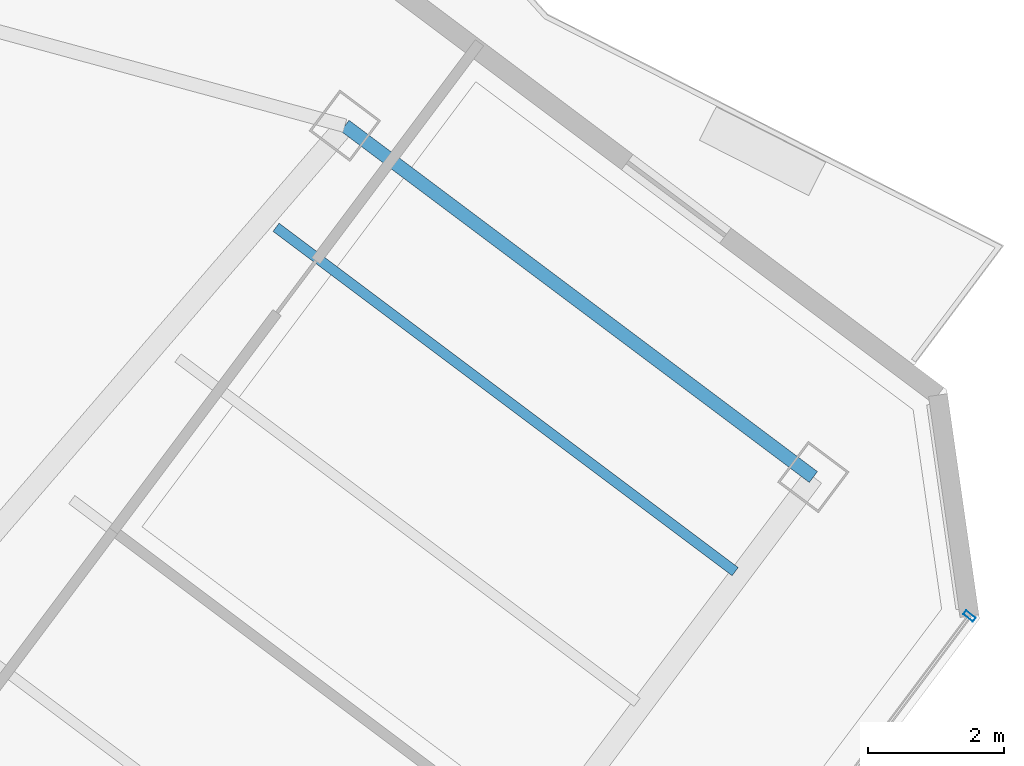
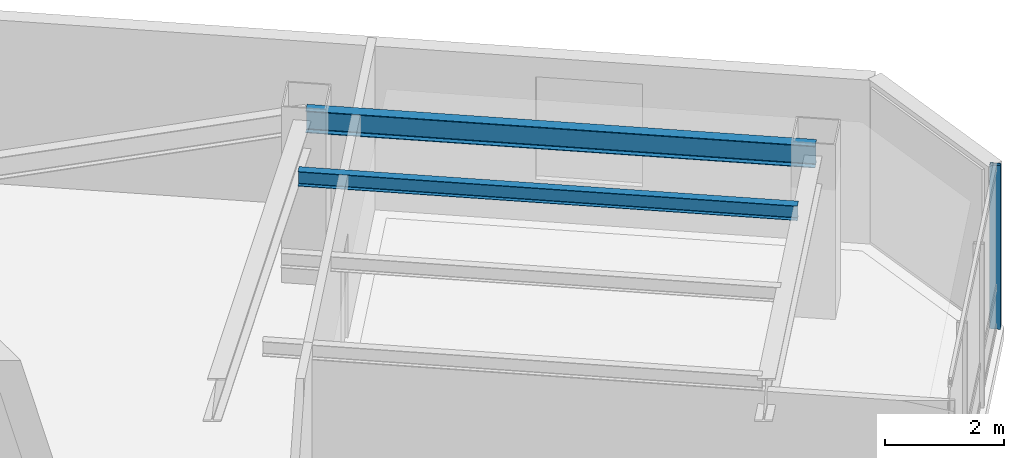
# One storey, part 14 of 26: 2 beams, 1 member, 1 element without a shape of its own.
"""IFC4 building model written with IfcOpenShell, lengths in metres."""

from ifc_helpers import new_model, si_unit, direction, frame, origin, origin_2d, place, context, subcontext, project, spatial, hollow_rectangle, i_section, extrude, material, layer, layer_set, material_profile, profile_set, type_object, element, aggregate, save


model = new_model("IFC4")

# Units and contexts
model_context = context("Model", 3, precision=1e-05, world=origin(), true_north=direction((0.0, 1.0)))
body_context = subcontext(model_context, "Body", "Model", "MODEL_VIEW")
ifc_project = project(units=[si_unit("LENGTHUNIT", "METRE"), si_unit("AREAUNIT", "SQUARE_METRE"), si_unit("VOLUMEUNIT", "CUBIC_METRE"), si_unit("PLANEANGLEUNIT", "RADIAN"), si_unit("MASSUNIT", "GRAM", prefix="KILO")], contexts=[model_context])

# Site, building, storey
site_placement = place(None, origin())
site = spatial("IfcSite", under=ifc_project, at=site_placement, CompositionType="ELEMENT")
building_placement = place(site_placement, origin())
building = spatial("IfcBuilding", under=site, at=building_placement, Name="Hatsunagi Terrace Concourse", CompositionType="ELEMENT")
storey_placement = place(building_placement, frame((0.0, 0.0, 198.75)))
storey = spatial("IfcBuildingStorey", under=building, at=storey_placement, Name="L52", CompositionType="ELEMENT", Elevation=198.75)

# Curtain wall, member
ifc_material_1 = material(Name="Anodised Aluminium Alloy 6063-T5", Category="aluminium")
ifc_layer = layer(ifc_material_1, 0.199951171875)
ifc_layer_set = layer_set([ifc_layer], Name="OfficeZone2_CW04")
curtain_wall_type = type_object("IfcCurtainWallType", Name="OfficeZone2_CW04", PredefinedType="NOTDEFINED", material=ifc_layer_set)
curtain_wall_placement = place(storey_placement, origin())
curtain_wall = element("IfcCurtainWall", 1, at=curtain_wall_placement, inside=storey, type_object=curtain_wall_type, Name="Unitised Curtain Wall CW-04 CW-L52-03", PredefinedType="NOTDEFINED")
ifc_material_2 = material(Name="Anodised Aluminium Alloy 6063-T5", Category="aluminium")
ifc_material_profile_1 = material_profile(ifc_material_2, hollow_rectangle(XDim=0.070068359375, YDim=0.179931640625, WallThickness=0.00390625, at=origin_2d()), Name="ALU-MUL-180x70x4")
ifc_profile_set_1 = profile_set([ifc_material_profile_1], Name="Anodised Aluminium Alloy 6063-T5")
member_type = type_object("IfcMemberType", Name="CurtainWallMullion_180x70", PredefinedType="MULLION", material=ifc_profile_set_1)
member_placement = place(storey_placement, frame((60.693115234375, 25.9580078125, 0.0), z_axis=(0.0, 0.0, 1.0), x_axis=(-0.599969314634, -0.800023013105, 0.0)))
member = element("IfcMember", 2, at=member_placement, type_object=member_type, Name="Curtain Wall Mullion MUL-02", PredefinedType="MULLION", context=body_context, shape_type="SweptSolid", body=[
    extrude(hollow_rectangle(XDim=0.070068359375, YDim=0.179931640625, WallThickness=0.00390625, at=origin_2d()), origin(), (0.0, 0.0, 1.0), 3.35009765625),
])
aggregate(curtain_wall, [member])

# Beams
ifc_material_3 = material(Name="Steel SN490B", Category="steel")
ifc_material_profile_2 = material_profile(ifc_material_3, i_section(OverallWidth=0.14990234375, OverallDepth=0.300048828125, WebThickness=0.006591796875, FlangeThickness=0.009033203125, FilletRadius=0.010986328125, at=origin_2d()), Name="H-300x150x6.5x9")
ifc_profile_set_2 = profile_set([ifc_material_profile_2], Name="Steel SN490B")
beam_type_1 = type_object("IfcBeamType", Name="OfficeJoist_H_300x150", PredefinedType="JOIST", material=ifc_profile_set_2)
beam_1_placement = place(storey_placement, frame((50.508056640625, 31.6689453125, 3.199951171875), z_axis=(0.800003475366, -0.59999536615, 0.0), x_axis=(0.59999536615, 0.800003475366, 0.0)))
element("IfcBeam", 3, at=beam_1_placement, inside=storey, type_object=beam_type_1, Name="Beam J-03 J-L52-SE-2-218", PredefinedType="JOIST", context=body_context, shape_type="SweptSolid", body=[
    extrude(i_section(OverallWidth=0.14990234375, OverallDepth=0.300048828125, WebThickness=0.006591796875, FlangeThickness=0.009033203125, FilletRadius=0.010986328125, at=origin_2d()), origin(), (0.0, 0.0, 1.0), 8.429931640625),
])
ifc_material_4 = material(Name="Steel SN490B", Category="steel")
ifc_material_profile_3 = material_profile(ifc_material_4, i_section(OverallWidth=0.199951171875, OverallDepth=0.449951171875, WebThickness=0.009033203125, FlangeThickness=0.013916015625, FilletRadius=0.01611328125, at=origin_2d()), Name="H-450x200x9x14")
ifc_profile_set_3 = profile_set([ifc_material_profile_3], Name="Steel SN490B")
beam_type_2 = type_object("IfcBeamType", Name="PerimeterSpandrel_H_450x200", PredefinedType="SPANDREL", material=ifc_profile_set_3)
beam_2_placement = place(storey_placement, frame((51.52001953125, 33.159912109375, 3.125), z_axis=(0.8, -0.6, 0.0), x_axis=(0.6, 0.8, 0.0)))
element("IfcBeam", 4, at=beam_2_placement, inside=storey, type_object=beam_type_2, Name="Beam SP-02 BM-L52-SE-NE2", PredefinedType="SPANDREL", context=body_context, shape_type="SweptSolid", body=[
    extrude(i_section(OverallWidth=0.199951171875, OverallDepth=0.449951171875, WebThickness=0.009033203125, FlangeThickness=0.013916015625, FilletRadius=0.01611328125, at=origin_2d()), origin(), (0.0, 0.0, 1.0), 8.599853515625),
])

save(model, "model.ifc")
